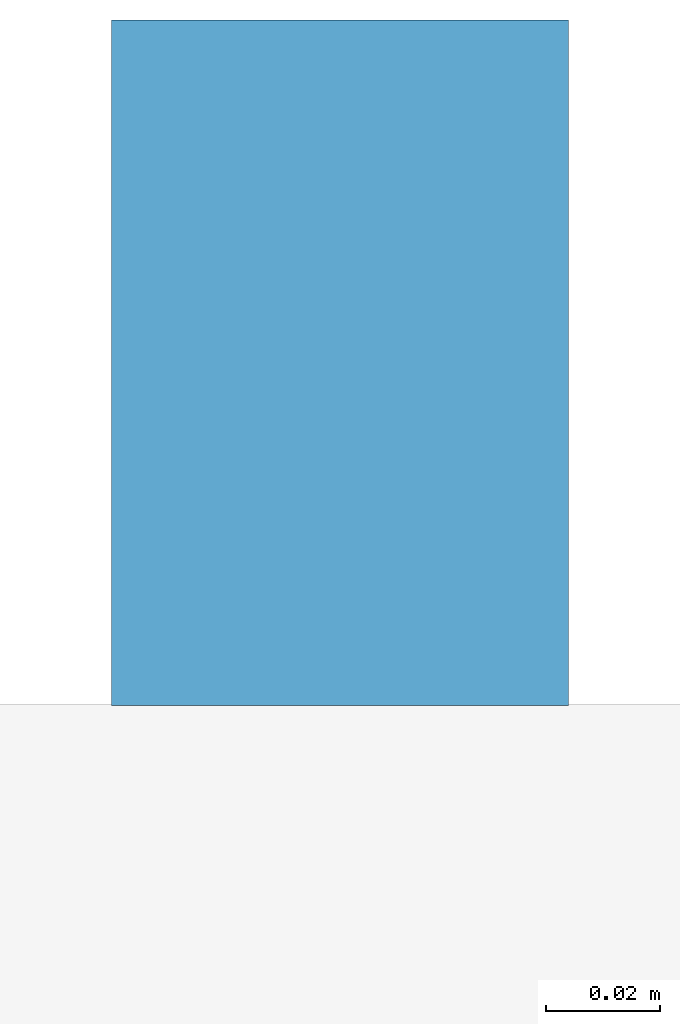
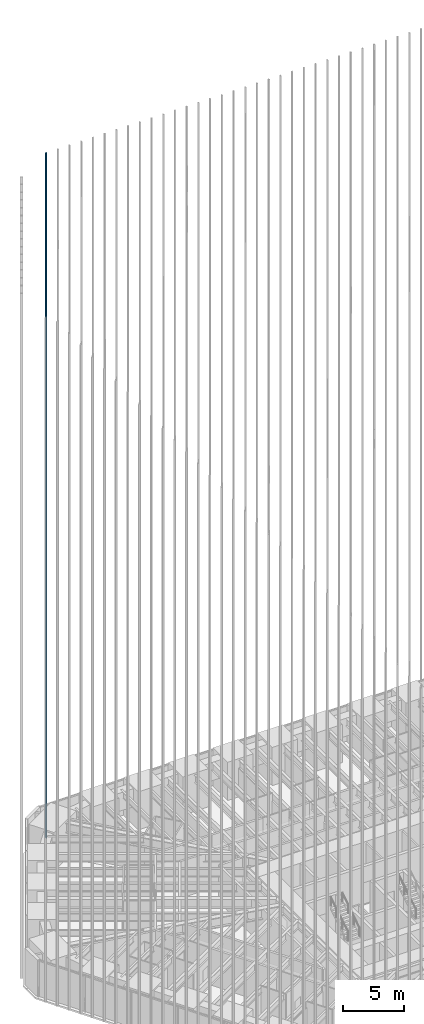
# One storey, part 161 of 256: 1 member, 1 element without a shape of its own.
"""IFC4 building model written with IfcOpenShell, lengths in metres."""

from ifc_helpers import new_model, si_unit, direction, frame, origin, origin_2d, place, context, subcontext, project, spatial, rectangle, extrude, material, material_profile, profile_set, type_object, element, aggregate, save


model = new_model("IFC4")

# Units and contexts
model_context = context("Model", 3, precision=1e-05, world=origin(), true_north=direction((0.0, 1.0)))
body_context = subcontext(model_context, "Body", "Model", "MODEL_VIEW")
ifc_project = project(units=[si_unit("LENGTHUNIT", "METRE"), si_unit("AREAUNIT", "SQUARE_METRE"), si_unit("VOLUMEUNIT", "CUBIC_METRE"), si_unit("PLANEANGLEUNIT", "RADIAN"), si_unit("MASSUNIT", "GRAM", prefix="KILO")], contexts=[model_context])

# Site, building, storey
site_placement = place(None, origin())
site = spatial("IfcSite", under=ifc_project, at=site_placement, CompositionType="ELEMENT")
building_placement = place(site_placement, origin())
building = spatial("IfcBuilding", under=site, at=building_placement, Name="Sandreach Pilgrim Tower", CompositionType="ELEMENT")
storey_placement = place(building_placement, frame((0.0, 0.0, 23.0)))
storey = spatial("IfcBuildingStorey", under=building, at=storey_placement, Name="L04", CompositionType="ELEMENT", Elevation=23.0)

# Curtain wall, member
ifc_material_1 = material(Name="Aluminium framed curtain wall", Category="aluminium")
curtain_wall_type = type_object("IfcCurtainWallType", Name="Hostel tower curtain wall", PredefinedType="NOTDEFINED", material=ifc_material_1)
curtain_wall_placement = place(storey_placement, origin())
curtain_wall = element("IfcCurtainWall", 1, at=curtain_wall_placement, inside=storey, type_object=curtain_wall_type, Name="CW-1 L04 N", PredefinedType="NOTDEFINED")
ifc_material_2 = material(Name="Extruded terracotta on aluminium core", Category="masonry")
ifc_material_profile = material_profile(ifc_material_2, rectangle(XDim=0.080078125, YDim=0.1201171875, at=origin_2d()), Name="TBN 80X120")
ifc_profile_set = profile_set([ifc_material_profile], Name="Extruded terracotta on aluminium core")
member_type = type_object("IfcMemberType", Name="Terracotta baguette north", PredefinedType="USERDEFINED", material=ifc_profile_set)
member_placement = place(storey_placement, frame((-18.775390625, 24.30859375, 0.0), z_axis=(0.0, 0.0, 1.0), x_axis=(1.0, 0.0, 0.0)))
member = element("IfcMember", 2, at=member_placement, type_object=member_type, Name="Baguette Z1 N01", ObjectType="BAGUETTE", PredefinedType="USERDEFINED", context=body_context, shape_type="SweptSolid", body=[
    extrude(rectangle(XDim=0.080078125, YDim=0.1201171875, at=origin_2d()), origin(), (0.0, 0.0, 1.0), 68.239990234375),
])
aggregate(curtain_wall, [member])

save(model, "model.ifc")
